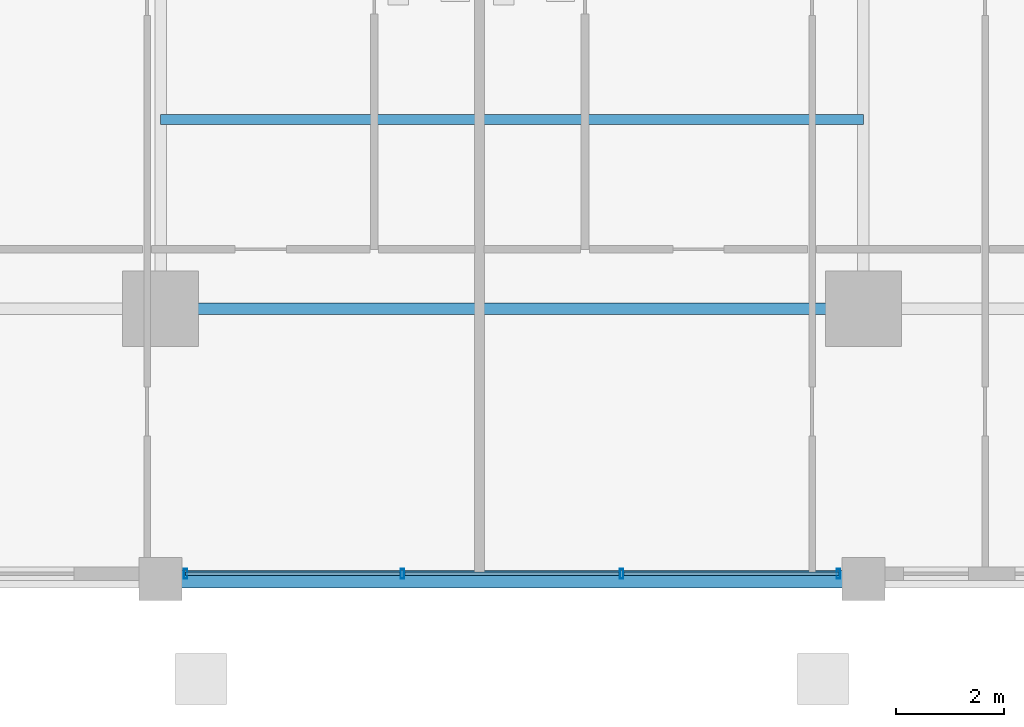
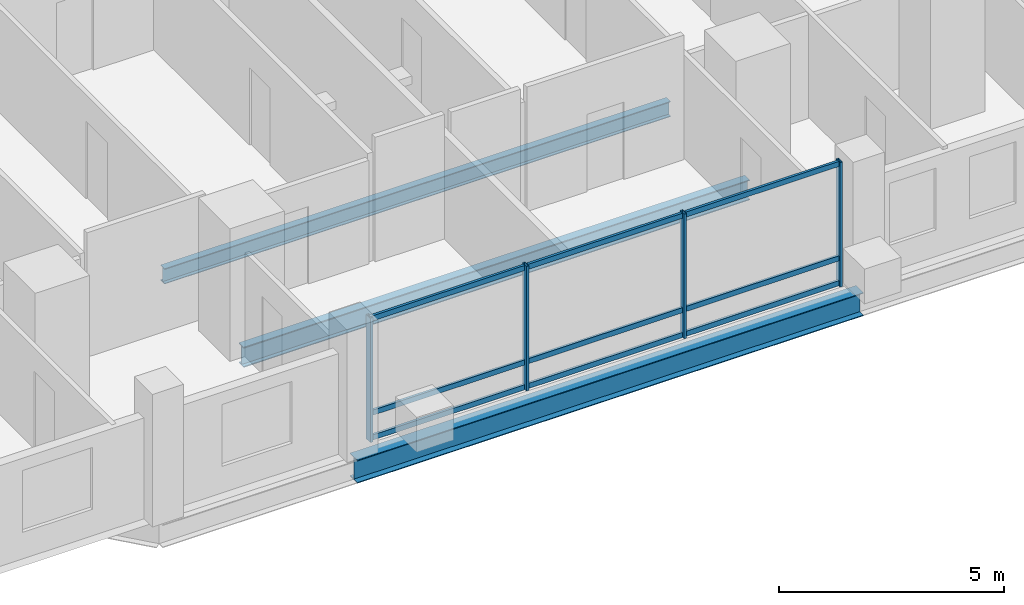
# One storey, part 2 of 23: 13 members, 3 beams, 1 element without a shape of its own.
"""IFC4 building model written with IfcOpenShell, lengths in metres."""

from ifc_helpers import new_model, si_unit, direction, frame, origin, origin_2d, place, context, subcontext, project, spatial, hollow_rectangle, i_section, extrude, material, layer, layer_set, material_profile, profile_set, type_object, element, aggregate, save


model = new_model("IFC4")

# Units and contexts
model_context = context("Model", 3, precision=1e-05, world=origin(), true_north=direction((0.0, 1.0)))
body_context = subcontext(model_context, "Body", "Model", "MODEL_VIEW")
ifc_project = project(units=[si_unit("LENGTHUNIT", "METRE"), si_unit("AREAUNIT", "SQUARE_METRE"), si_unit("VOLUMEUNIT", "CUBIC_METRE"), si_unit("PLANEANGLEUNIT", "RADIAN"), si_unit("MASSUNIT", "GRAM", prefix="KILO")], contexts=[model_context])

# Site, building, storey
site_placement = place(None, origin())
site = spatial("IfcSite", under=ifc_project, at=site_placement, CompositionType="ELEMENT")
building_placement = place(site_placement, origin())
building = spatial("IfcBuilding", under=site, at=building_placement, Name="Barlavira Tower and Art Museum", CompositionType="ELEMENT")
storey_placement = place(building_placement, frame((0.0, 0.0, 75.60009765625)))
storey = spatial("IfcBuildingStorey", under=building, at=storey_placement, Name="L18", CompositionType="ELEMENT", Elevation=75.60009765625)

# Curtain wall, members
ifc_material_1 = material(Name="Low-iron coastal laminated glass", Category="glass")
ifc_layer = layer(ifc_material_1, 0.179931640625, Name="Low-iron coastal laminated glass")
ifc_layer_set = layer_set([ifc_layer], Name="Low-iron coastal laminated glass")
curtain_wall_type = type_object("IfcCurtainWallType", Name="Pale-Metal Unitised Curtain Wall Zone 1", PredefinedType="NOTDEFINED", material=ifc_layer_set)
curtain_wall_placement = place(storey_placement, origin())
curtain_wall = element("IfcCurtainWall", 1, at=curtain_wall_placement, inside=storey, type_object=curtain_wall_type, Name="L18 Curtain Wall CW1-L18-S-B3", PredefinedType="NOTDEFINED")
ifc_material_2 = material(Name="Pale anodised aluminium", Category="aluminium")
ifc_material_profile_1 = material_profile(ifc_material_2, hollow_rectangle(XDim=0.06494140625, YDim=0.179931640625, WallThickness=0.00390625, at=origin_2d()), Name="ALU-MULL 65x180x4")
ifc_profile_set_1 = profile_set([ifc_material_profile_1], Name="Pale anodised aluminium")
member_type_1 = type_object("IfcMemberType", Name="Curtain Wall Pale-Metal Mullion 65x180", PredefinedType="MULLION", material=ifc_profile_set_1)
member_1_placement = place(storey_placement, frame((-6.034912109375, -24.89990234375, 0.0), z_axis=(0.0, 0.0, 1.0), x_axis=(1.0, 0.0, 0.0)))
member_1 = element("IfcMember", 2, at=member_1_placement, type_object=member_type_1, Name="CW1-L18-S-B3 Mullion 0", PredefinedType="MULLION", context=body_context, shape_type="SweptSolid", body=[
    extrude(hollow_rectangle(XDim=0.06494140625, YDim=0.179931640625, WallThickness=0.00390625, at=origin_2d()), origin(), (0.0, 0.0, 1.0), 3.3798828125),
])
member_2_placement = place(storey_placement, frame((-2.026611328125, -24.89990234375, 0.0), z_axis=(0.0, 0.0, 1.0), x_axis=(1.0, 0.0, 0.0)))
member_2 = element("IfcMember", 3, at=member_2_placement, type_object=member_type_1, Name="CW1-L18-S-B3 Mullion 1", PredefinedType="MULLION", context=body_context, shape_type="SweptSolid", body=[
    extrude(hollow_rectangle(XDim=0.06494140625, YDim=0.179931640625, WallThickness=0.00390625, at=origin_2d()), origin(), (0.0, 0.0, 1.0), 3.3798828125),
])
member_3_placement = place(storey_placement, frame((2.026611328125, -24.89990234375, 0.0), z_axis=(0.0, 0.0, 1.0), x_axis=(1.0, 0.0, 0.0)))
member_3 = element("IfcMember", 4, at=member_3_placement, type_object=member_type_1, Name="CW1-L18-S-B3 Mullion 2", PredefinedType="MULLION", context=body_context, shape_type="SweptSolid", body=[
    extrude(hollow_rectangle(XDim=0.06494140625, YDim=0.179931640625, WallThickness=0.00390625, at=origin_2d()), origin(), (0.0, 0.0, 1.0), 3.3798828125),
])
member_4_placement = place(storey_placement, frame((6.034912109375, -24.89990234375, 0.0), z_axis=(0.0, 0.0, 1.0), x_axis=(1.0, 0.0, 0.0)))
member_4 = element("IfcMember", 5, at=member_4_placement, type_object=member_type_1, Name="CW1-L18-S-B3 Mullion 3", PredefinedType="MULLION", context=body_context, shape_type="SweptSolid", body=[
    extrude(hollow_rectangle(XDim=0.06494140625, YDim=0.179931640625, WallThickness=0.00390625, at=origin_2d()), origin(), (0.0, 0.0, 1.0), 3.3798828125),
])
ifc_material_profile_2 = material_profile(ifc_material_2, hollow_rectangle(XDim=0.06494140625, YDim=0.139892578125, WallThickness=0.00390625, at=origin_2d()), Name="ALU-TRAN 65x140x4")
ifc_profile_set_2 = profile_set([ifc_material_profile_2], Name="Pale anodised aluminium")
member_type_2 = type_object("IfcMemberType", Name="Curtain Wall Pale-Metal Transom 65x140", PredefinedType="USERDEFINED", material=ifc_profile_set_2)
member_5_placement = place(storey_placement, frame((-6.034912109375, -24.89990234375, 0.06982421875), z_axis=(1.0, 0.0, 0.0), x_axis=(0.0, 1.0, 0.0)))
member_5 = element("IfcMember", 6, at=member_5_placement, type_object=member_type_2, Name="CW1-L18-S-B3 Transom 0.1", ObjectType="TRANSOM", PredefinedType="USERDEFINED", context=body_context, shape_type="SweptSolid", body=[
    extrude(hollow_rectangle(XDim=0.06494140625, YDim=0.139892578125, WallThickness=0.00390625, at=origin_2d()), origin(), (0.0, 0.0, 1.0), 3.963134765625),
])
member_6_placement = place(storey_placement, frame((-6.034912109375, -24.89990234375, 0.743896484375), z_axis=(1.0, 0.0, 0.0), x_axis=(0.0, 1.0, 0.0)))
member_6 = element("IfcMember", 7, at=member_6_placement, type_object=member_type_2, Name="CW1-L18-S-B3 Transom 0.2", ObjectType="TRANSOM", PredefinedType="USERDEFINED", context=body_context, shape_type="SweptSolid", body=[
    extrude(hollow_rectangle(XDim=0.06494140625, YDim=0.139892578125, WallThickness=0.00390625, at=origin_2d()), origin(), (0.0, 0.0, 1.0), 3.963134765625),
])
member_7_placement = place(storey_placement, frame((-6.034912109375, -24.89990234375, 3.309814453125), z_axis=(1.0, 0.0, 0.0), x_axis=(0.0, 1.0, 0.0)))
member_7 = element("IfcMember", 8, at=member_7_placement, type_object=member_type_2, Name="CW1-L18-S-B3 Transom 0.3", ObjectType="TRANSOM", PredefinedType="USERDEFINED", context=body_context, shape_type="SweptSolid", body=[
    extrude(hollow_rectangle(XDim=0.06494140625, YDim=0.139892578125, WallThickness=0.00390625, at=origin_2d()), origin(), (0.0, 0.0, 1.0), 3.963134765625),
])
member_8_placement = place(storey_placement, frame((-1.981689453125, -24.89990234375, 0.06982421875), z_axis=(1.0, 0.0, 0.0), x_axis=(0.0, 1.0, 0.0)))
member_8 = element("IfcMember", 9, at=member_8_placement, type_object=member_type_2, Name="CW1-L18-S-B3 Transom 1.1", ObjectType="TRANSOM", PredefinedType="USERDEFINED", context=body_context, shape_type="SweptSolid", body=[
    extrude(hollow_rectangle(XDim=0.06494140625, YDim=0.139892578125, WallThickness=0.00390625, at=origin_2d()), origin(), (0.0, 0.0, 1.0), 3.96337890625),
])
member_9_placement = place(storey_placement, frame((-1.981689453125, -24.89990234375, 0.743896484375), z_axis=(1.0, 0.0, 0.0), x_axis=(0.0, 1.0, 0.0)))
member_9 = element("IfcMember", 10, at=member_9_placement, type_object=member_type_2, Name="CW1-L18-S-B3 Transom 1.2", ObjectType="TRANSOM", PredefinedType="USERDEFINED", context=body_context, shape_type="SweptSolid", body=[
    extrude(hollow_rectangle(XDim=0.06494140625, YDim=0.139892578125, WallThickness=0.00390625, at=origin_2d()), origin(), (0.0, 0.0, 1.0), 3.96337890625),
])
member_10_placement = place(storey_placement, frame((-1.981689453125, -24.89990234375, 3.309814453125), z_axis=(1.0, 0.0, 0.0), x_axis=(0.0, 1.0, 0.0)))
member_10 = element("IfcMember", 11, at=member_10_placement, type_object=member_type_2, Name="CW1-L18-S-B3 Transom 1.3", ObjectType="TRANSOM", PredefinedType="USERDEFINED", context=body_context, shape_type="SweptSolid", body=[
    extrude(hollow_rectangle(XDim=0.06494140625, YDim=0.139892578125, WallThickness=0.00390625, at=origin_2d()), origin(), (0.0, 0.0, 1.0), 3.96337890625),
])
member_11_placement = place(storey_placement, frame((2.07177734375, -24.89990234375, 0.06982421875), z_axis=(1.0, 0.0, 0.0), x_axis=(0.0, 1.0, 0.0)))
member_11 = element("IfcMember", 12, at=member_11_placement, type_object=member_type_2, Name="CW1-L18-S-B3 Transom 2.1", ObjectType="TRANSOM", PredefinedType="USERDEFINED", context=body_context, shape_type="SweptSolid", body=[
    extrude(hollow_rectangle(XDim=0.06494140625, YDim=0.139892578125, WallThickness=0.00390625, at=origin_2d()), origin(), (0.0, 0.0, 1.0), 3.963134765625),
])
member_12_placement = place(storey_placement, frame((2.07177734375, -24.89990234375, 0.743896484375), z_axis=(1.0, 0.0, 0.0), x_axis=(0.0, 1.0, 0.0)))
member_12 = element("IfcMember", 13, at=member_12_placement, type_object=member_type_2, Name="CW1-L18-S-B3 Transom 2.2", ObjectType="TRANSOM", PredefinedType="USERDEFINED", context=body_context, shape_type="SweptSolid", body=[
    extrude(hollow_rectangle(XDim=0.06494140625, YDim=0.139892578125, WallThickness=0.00390625, at=origin_2d()), origin(), (0.0, 0.0, 1.0), 3.963134765625),
])
member_13_placement = place(storey_placement, frame((2.07177734375, -24.89990234375, 3.309814453125), z_axis=(1.0, 0.0, 0.0), x_axis=(0.0, 1.0, 0.0)))
member_13 = element("IfcMember", 14, at=member_13_placement, type_object=member_type_2, Name="CW1-L18-S-B3 Transom 2.3", ObjectType="TRANSOM", PredefinedType="USERDEFINED", context=body_context, shape_type="SweptSolid", body=[
    extrude(hollow_rectangle(XDim=0.06494140625, YDim=0.139892578125, WallThickness=0.00390625, at=origin_2d()), origin(), (0.0, 0.0, 1.0), 3.963134765625),
])
aggregate(curtain_wall, [member_1, member_2, member_3, member_4, member_5, member_6, member_7, member_8, member_9, member_10, member_11, member_12, member_13])

# Beams
ifc_material_3 = material(Name="Steel S355", Category="steel")
ifc_material_profile_3 = material_profile(ifc_material_3, i_section(OverallWidth=0.327880859375, OverallDepth=0.62890625, WebThickness=0.013916015625, FlangeThickness=0.021484375, at=origin_2d()), Name="W610x174.0")
ifc_profile_set_3 = profile_set([ifc_material_profile_3], Name="Steel S355")
beam_type_1 = type_object("IfcBeamType", Name="Perimeter Spandrel Edge Beam W610x174 Steel S355", PredefinedType="SPANDREL", material=ifc_profile_set_3)
beam_1_placement = place(storey_placement, frame((-6.5, -25.0, -0.53466796875), z_axis=(1.0, 0.0, 0.0), x_axis=(0.0, 1.0, 0.0)))
element("IfcBeam", 15, at=beam_1_placement, inside=storey, type_object=beam_type_1, Name="L18 Spandrel 2", PredefinedType="SPANDREL", context=body_context, shape_type="SweptSolid", body=[
    extrude(i_section(OverallWidth=0.327880859375, OverallDepth=0.62890625, WebThickness=0.013916015625, FlangeThickness=0.021484375, at=origin_2d()), origin(), (0.0, 0.0, 1.0), 13.0),
])
ifc_material_profile_4 = material_profile(ifc_material_3, i_section(OverallWidth=0.180908203125, OverallDepth=0.4169921875, WebThickness=0.010986328125, FlangeThickness=0.018310546875, at=origin_2d()), Name="W410x85.0")
ifc_profile_set_4 = profile_set([ifc_material_profile_4], Name="Steel S355")
beam_type_2 = type_object("IfcBeamType", Name="Zone 1 Composite Floor Joist W410x85 Steel S355", PredefinedType="JOIST", material=ifc_profile_set_4)
beam_2_placement = place(storey_placement, frame((-6.5, -16.5, -0.4287109375), z_axis=(1.0, 0.0, 0.0), x_axis=(0.0, 1.0, 0.0)))
element("IfcBeam", 16, at=beam_2_placement, inside=storey, type_object=beam_type_2, Name="L18 Joist C1", PredefinedType="JOIST", context=body_context, shape_type="SweptSolid", body=[
    extrude(i_section(OverallWidth=0.180908203125, OverallDepth=0.4169921875, WebThickness=0.010986328125, FlangeThickness=0.018310546875, at=origin_2d()), origin(), (0.0, 0.0, 1.0), 13.0),
])
ifc_material_profile_5 = material_profile(ifc_material_3, i_section(OverallWidth=0.214111328125, OverallDepth=0.549072265625, WebThickness=0.0146484375, FlangeThickness=0.023681640625, at=origin_2d()), Name="W530x138.0")
ifc_profile_set_5 = profile_set([ifc_material_profile_5], Name="Steel S355")
beam_type_3 = type_object("IfcBeamType", Name="Zone 1 Primary Floor Girder W530x138 Steel S355", PredefinedType="BEAM", material=ifc_profile_set_5)
beam_3_placement = place(storey_placement, frame((-6.5, -20.0, -0.49462890625), z_axis=(1.0, 0.0, 0.0), x_axis=(0.0, 1.0, 0.0)))
element("IfcBeam", 17, at=beam_3_placement, inside=storey, type_object=beam_type_3, Name="L18 Girder M-S2", PredefinedType="BEAM", context=body_context, shape_type="SweptSolid", body=[
    extrude(i_section(OverallWidth=0.214111328125, OverallDepth=0.549072265625, WebThickness=0.0146484375, FlangeThickness=0.023681640625, at=origin_2d()), origin(), (0.0, 0.0, 1.0), 13.0),
])

save(model, "model.ifc")
